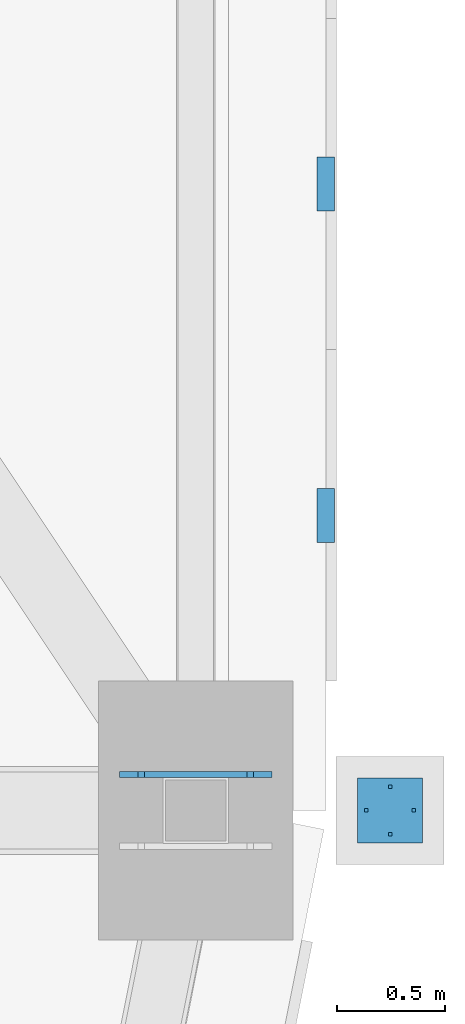
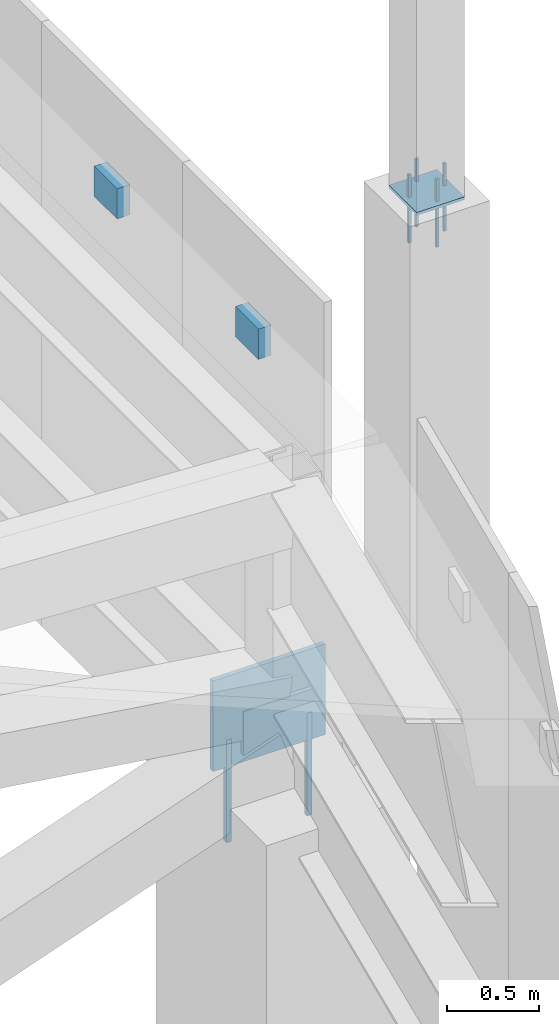
# One storey, part 186 of 278: 6 mechanical fasteners, 4 discrete accessories.
"""IFC4 building model written with IfcOpenShell, lengths in metres."""

from ifc_helpers import new_model, si_unit, direction, frame, origin, origin_2d, place, context, subcontext, project, spatial, rectangle, extrude, material, layer, layer_set, type_object, element, save


model = new_model("IFC4")

# Units and contexts
model_context = context("Model", 3, precision=1e-05, world=origin(), true_north=direction((0.0, 1.0)))
body_context = subcontext(model_context, "Body", "Model", "MODEL_VIEW")
ifc_project = project(units=[si_unit("LENGTHUNIT", "METRE"), si_unit("AREAUNIT", "SQUARE_METRE"), si_unit("VOLUMEUNIT", "CUBIC_METRE"), si_unit("PLANEANGLEUNIT", "RADIAN"), si_unit("MASSUNIT", "GRAM", prefix="KILO")], contexts=[model_context])

# Site, building, storey
site_placement = place(None, origin())
site = spatial("IfcSite", under=ifc_project, at=site_placement, CompositionType="ELEMENT")
building_placement = place(site_placement, origin())
building = spatial("IfcBuilding", under=site, at=building_placement, Name="Ogive Plaza Stadium", CompositionType="ELEMENT")
storey_placement = place(building_placement, frame((0.0, 0.0, 29.0)))
storey = spatial("IfcBuildingStorey", under=building, at=storey_placement, Name="Roof", CompositionType="ELEMENT", Elevation=29.0)

# Mechanical fasteners
ifc_material_1 = material(Name="Steel ASTM A992 Grade 50", Category="steel")
mechanical_fastener_type_1 = type_object("IfcMechanicalFastenerType", Name="Anchor bolt M30 x 600", PredefinedType="ANCHORBOLT", material=ifc_material_1)
for number, where, z_axis, x_axis, name in (
    (1, (84.25244140625, -52.33349609375, 3.0), (0.0, 0.0, 1.0), (1.0, 0.0, 0.0), "ANCHOR BOLT 08 BF 1.1"),
    (2, (83.74755859375, -52.33349609375, 3.0), (0.0, 0.0, 1.0), (1.0, 0.0, 0.0), "ANCHOR BOLT 08 BF 1.2"),
):
    element("IfcMechanicalFastener", number, at=place(storey_placement, frame(where, z_axis=z_axis, x_axis=x_axis)), inside=storey, type_object=mechanical_fastener_type_1, Name=name, PredefinedType="ANCHORBOLT", context=body_context, shape_type="SweptSolid", body=[
        extrude(rectangle(XDim=0.030029296875, YDim=0.030029296875, at=origin_2d()), origin(), (0.0, 0.0, 1.0), 0.679931640625),
    ])
ifc_material_2 = material(Name="Steel ASTM A992 Grade 50", Category="steel")
mechanical_fastener_type_2 = type_object("IfcMechanicalFastenerType", Name="Spire anchor bolt M16 x 450", PredefinedType="ANCHORBOLT", material=ifc_material_2)
for number, where, z_axis, x_axis, name in (
    (3, (85.010009765625, -52.5, 6.7001953125), (0.0, 0.0, 1.0), (1.0, 0.0, 0.0), "SPIRE ANCHOR BOLT 08 1"),
    (4, (84.7900390625, -52.5, 6.7001953125), (0.0, 0.0, 1.0), (1.0, 0.0, 0.0), "SPIRE ANCHOR BOLT 08 2"),
    (5, (84.89990234375, -52.389892578125, 6.7001953125), (0.0, 0.0, 1.0), (1.0, 0.0, 0.0), "SPIRE ANCHOR BOLT 08 3"),
    (6, (84.89990234375, -52.610107421875, 6.7001953125), (0.0, 0.0, 1.0), (1.0, 0.0, 0.0), "SPIRE ANCHOR BOLT 08 4"),
):
    element("IfcMechanicalFastener", number, at=place(storey_placement, frame(where, z_axis=z_axis, x_axis=x_axis)), inside=storey, type_object=mechanical_fastener_type_2, Name=name, PredefinedType="ANCHORBOLT", context=body_context, shape_type="SweptSolid", body=[
        extrude(rectangle(XDim=0.01611328125, YDim=0.01611328125, at=origin_2d()), origin(), (0.0, 0.0, 1.0), 0.449951171875),
    ])

# Discrete accessories
ifc_material_3 = material(Name="Steel ASTM A992 Grade 50", Category="steel")
ifc_layer_1 = layer(ifc_material_3, 0.02001953125)
ifc_layer_set_1 = layer_set([ifc_layer_1], Name="Steel ASTM A992 Grade 50")
discrete_accessory_type_1 = type_object("IfcDiscreteAccessoryType", Name="Spire seat plate 20", PredefinedType="ANCHORPLATE", material=ifc_layer_set_1)
discrete_accessory_1_placement = place(storey_placement, frame((84.89990234375, -52.5, 6.98095703125), z_axis=(0.0, 0.0, 1.0), x_axis=(1.0, 0.0, 0.0)))
element("IfcDiscreteAccessory", 7, at=discrete_accessory_1_placement, inside=storey, type_object=discrete_accessory_type_1, Name="SPIRE SEAT PLATE 08", PredefinedType="ANCHORPLATE", context=body_context, shape_type="SweptSolid", body=[
    extrude(rectangle(XDim=0.300048828125, YDim=0.300048828125, at=origin_2d()), origin(), (0.0, 0.0, 1.0), 0.02001953125),
])
ifc_material_4 = material(Name="Steel ASTM A572 Grade 50", Category="steel")
ifc_layer_2 = layer(ifc_material_4, 0.080078125)
ifc_layer_set_2 = layer_set([ifc_layer_2], Name="Steel ASTM A572 Grade 50")
discrete_accessory_type_2 = type_object("IfcDiscreteAccessoryType", Name="Tracery screen bracket 250x200", PredefinedType="BRACKET", material=ifc_layer_set_2)
for number, where, z_axis, x_axis, name in (
    (8, (84.602294921875, -49.60009765625, 5.25), (0.0, 0.0, 1.0), (0.0, -1.0, 0.0), "TRACERY SCREEN BRACKET B07 8"),
    (9, (84.602294921875, -51.13330078125, 5.25), (0.0, 0.0, 1.0), (0.0, -1.0, 0.0), "TRACERY SCREEN BRACKET B07 9"),
):
    element("IfcDiscreteAccessory", number, at=place(storey_placement, frame(where, z_axis=z_axis, x_axis=x_axis)), inside=storey, type_object=discrete_accessory_type_2, Name=name, PredefinedType="BRACKET", context=body_context, shape_type="SweptSolid", body=[
        extrude(rectangle(XDim=0.25, YDim=0.080078125, at=origin_2d()), origin(), (0.0, 0.0, 1.0), 0.199951171875),
    ])
ifc_material_5 = material(Name="Steel ASTM A992 Grade 50", Category="steel")
ifc_layer_3 = layer(ifc_material_5, 0.030029296875)
ifc_layer_set_3 = layer_set([ifc_layer_3], Name="Steel ASTM A992 Grade 50")
discrete_accessory_type_3 = type_object("IfcDiscreteAccessoryType", Name="Truss back-stay foot cleat plate 30", PredefinedType="ANCHORPLATE", material=ifc_layer_set_3)
discrete_accessory_2_placement = place(storey_placement, frame((84.0, -52.33349609375, 3.5), z_axis=(0.0, 0.0, 1.0), x_axis=(1.0, 0.0, 0.0)))
element("IfcDiscreteAccessory", 10, at=discrete_accessory_2_placement, inside=storey, type_object=discrete_accessory_type_3, Name="TRUSS BACK-STAY FOOT CLEAT PLATE 08 1", PredefinedType="ANCHORPLATE", context=body_context, shape_type="SweptSolid", body=[
    extrude(rectangle(XDim=0.704833984375, YDim=0.030029296875, at=origin_2d()), origin(), (0.0, 0.0, 1.0), 0.60009765625),
])

save(model, "model.ifc")
